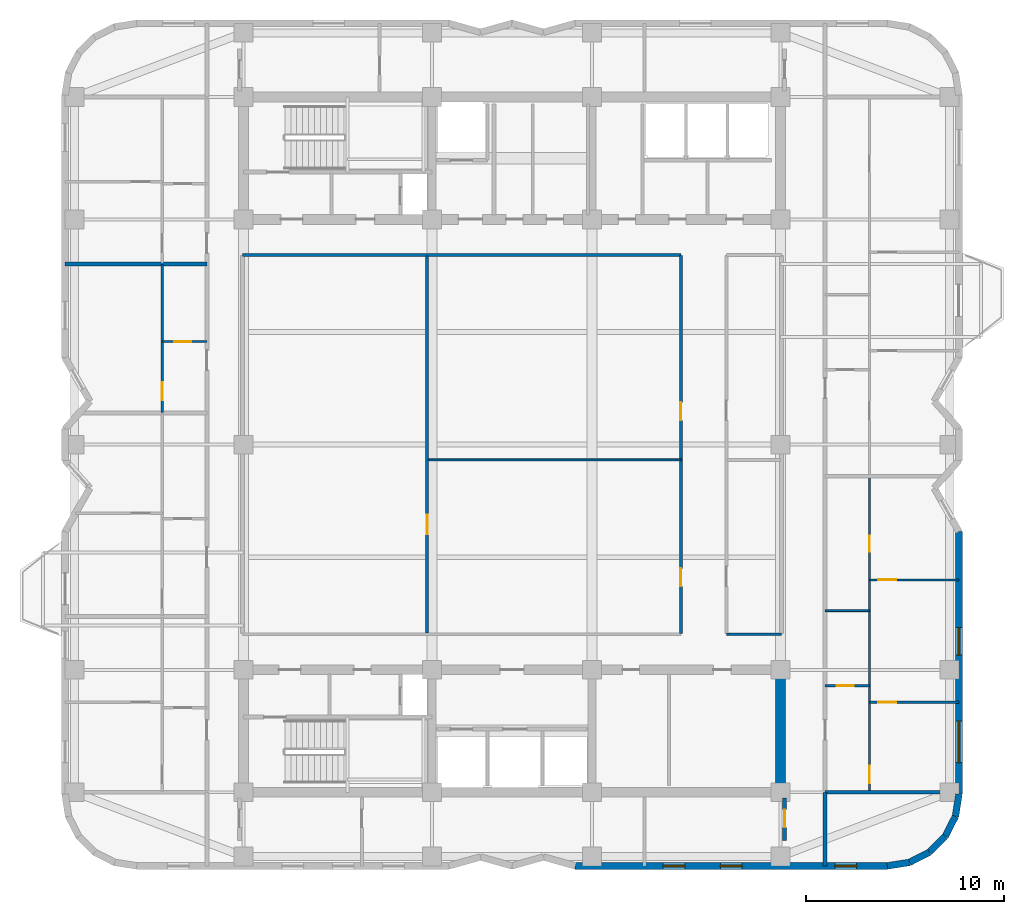
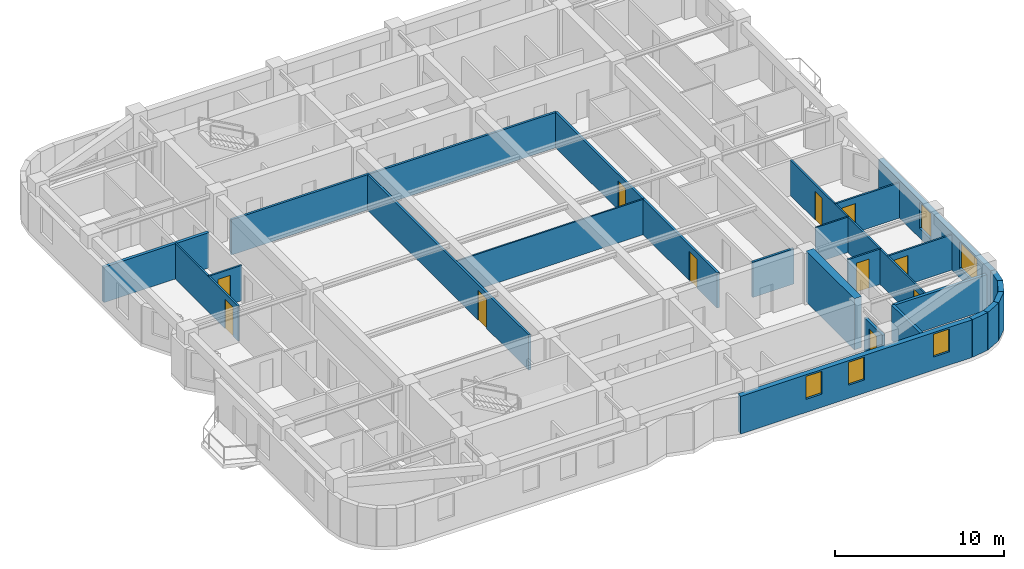
# One storey, part 4 of 9: 24 walls, 11 doors, 5 windows, 16 openings.
"""IFC4 building model written with IfcOpenShell, lengths in metres."""

from ifc_helpers import new_model, si_unit, direction, frame, frame_2d, origin, place, context, subcontext, project, spatial, rectangle, extrude, material, layer, layer_set, type_object, element, fill, save


model = new_model("IFC4")

# Units and contexts
model_context = context("Model", 3, precision=1e-05, world=origin(), true_north=direction((0.0, 1.0)))
body_context = subcontext(model_context, "Body", "Model", "MODEL_VIEW")
ifc_project = project(units=[si_unit("LENGTHUNIT", "METRE"), si_unit("AREAUNIT", "SQUARE_METRE"), si_unit("VOLUMEUNIT", "CUBIC_METRE"), si_unit("PLANEANGLEUNIT", "RADIAN"), si_unit("MASSUNIT", "GRAM", prefix="KILO")], contexts=[model_context])

# Site, building, storey
site_placement = place(None, origin())
site = spatial("IfcSite", under=ifc_project, at=site_placement, CompositionType="ELEMENT")
building_placement = place(site_placement, origin())
building = spatial("IfcBuilding", under=site, at=building_placement, Name="Svetorya Sky Lyceum", CompositionType="ELEMENT")
storey_placement = place(building_placement, frame((0.0, 0.0, 173.699951171875)))
storey = spatial("IfcBuildingStorey", under=building, at=storey_placement, Name="L43", CompositionType="ELEMENT", Elevation=173.699951171875)

# Wall
ifc_material_1 = material(Name="Concrete C50/60", Category="concrete")
ifc_layer_1 = layer(ifc_material_1, 0.5)
ifc_layer_set_1 = layer_set([ifc_layer_1], Name="Concrete C50/60")
wall_type_1 = type_object("IfcWallType", Name="WL-CORE-500", PredefinedType="SHEAR", material=ifc_layer_set_1)
wall_1_placement = place(storey_placement, frame((52.800048828125, 10.85009765625, 0.0), z_axis=(0.0, 0.0, 1.0), x_axis=(0.0, 1.0, 0.0)))
element("IfcWall", 1, at=wall_1_placement, inside=storey, type_object=wall_type_1, Name="L43 SC East Core Shear Wall", PredefinedType="SHEAR", context=body_context, shape_type="SweptSolid", body=[
    extrude(rectangle(XDim=5.699951171875, YDim=0.5, at=frame_2d((2.85009765625, 0.0))), origin(), (0.0, 0.0, 1.0), 3.699951171875),
])

# Wall, openings, windows
ifc_material_2 = material(Name="Putilovo limestone rainscreen on autoclaved cellular masonry", Category="masonry")
ifc_layer_2 = layer(ifc_material_2, 0.340087890625)
ifc_layer_set_2 = layer_set([ifc_layer_2], Name="Putilovo limestone rainscreen on autoclaved cellular masonry")
wall_type_2 = type_object("IfcWallType", Name="WL-EXT-340", PredefinedType="SOLIDWALL", material=ifc_layer_set_2)
wall_2_placement = place(storey_placement, frame((42.39990234375, 6.8701171875, 0.0), z_axis=(0.0, 0.0, 1.0), x_axis=(1.0, 0.0, 0.0)))
wall_2 = element("IfcWall", 2, at=wall_2_placement, inside=storey, type_object=wall_type_2, Name="L43 Limestone Exterior Wall 11M", PredefinedType="SOLIDWALL", context=body_context, shape_type="SweptSolid", body=[
    extrude(rectangle(XDim=15.800048828125, YDim=0.340087890625, at=frame_2d((7.89990234375, 0.0))), origin(), (0.0, 0.0, 1.0), 2.719970703125),
])
opening_1_placement = place(wall_2_placement, frame((4.449951171875, 0.0, 0.949951171875)))
opening_1 = element("IfcOpeningElement", 3, at=opening_1_placement, cuts=wall_2, Name="Opening W-R3", PredefinedType="OPENING", context=body_context, shape_type="SweptSolid", body=[
    extrude(rectangle(XDim=1.10009765625, YDim=1.64990234375, at=frame_2d((0.550048828125, 0.824951171875))), frame((0.0, 0.179931640625, 0.0), z_axis=(0.0, -1.0, 0.0), x_axis=(1.0, 0.0, 0.0)), (0.0, 0.0, 1.0), 0.360107421875),
])
opening_2_placement = place(wall_2_placement, frame((7.35009765625, 0.0, 0.949951171875)))
opening_2 = element("IfcOpeningElement", 4, at=opening_2_placement, cuts=wall_2, Name="Opening W-R3", PredefinedType="OPENING", context=body_context, shape_type="SweptSolid", body=[
    extrude(rectangle(XDim=1.10009765625, YDim=1.64990234375, at=frame_2d((0.550048828125, 0.824951171875))), frame((0.0, 0.179931640625, 0.0), z_axis=(0.0, -1.0, 0.0), x_axis=(1.0, 0.0, 0.0)), (0.0, 0.0, 1.0), 0.360107421875),
])
opening_3_placement = place(wall_2_placement, frame((13.14990234375, 0.0, 0.949951171875)))
opening_3 = element("IfcOpeningElement", 5, at=opening_3_placement, cuts=wall_2, Name="Opening W-R3", PredefinedType="OPENING", context=body_context, shape_type="SweptSolid", body=[
    extrude(rectangle(XDim=1.10009765625, YDim=1.64990234375, at=frame_2d((0.550048828125, 0.824951171875))), frame((0.0, 0.179931640625, 0.0), z_axis=(0.0, -1.0, 0.0), x_axis=(1.0, 0.0, 0.0)), (0.0, 0.0, 1.0), 0.360107421875),
])
ifc_material_3 = material(Name="Thermally broken aluminium frame with triple low-E glazing", Category="aluminium")
window_type_1 = type_object("IfcWindowType", Name="WN-RES-110", PartitioningType="SINGLE_PANEL", PredefinedType="WINDOW", material=ifc_material_3)
window_1_placement = place(opening_1_placement, origin())
window_1 = element("IfcWindow", 6, at=window_1_placement, inside=storey, type_object=window_type_1, Name="L43 Facade Window W-R3.11M.1", OverallHeight=1.64990234375, OverallWidth=1.10009765625, PartitioningType="SINGLE_PANEL", PredefinedType="WINDOW", context=body_context, shape_type="SweptSolid", body=[
    extrude(rectangle(XDim=1.10009765625, YDim=1.64990234375, at=frame_2d((0.550048828125, 0.824951171875))), frame((0.0, 0.030029296875, 0.0), z_axis=(0.0, -1.0, 0.0), x_axis=(1.0, 0.0, 0.0)), (0.0, 0.0, 1.0), 0.06005859375),
])
fill(opening_1, window_1)
window_2_placement = place(opening_2_placement, origin())
window_2 = element("IfcWindow", 7, at=window_2_placement, inside=storey, type_object=window_type_1, Name="L43 Facade Window W-R3.11M.2", OverallHeight=1.64990234375, OverallWidth=1.10009765625, PartitioningType="SINGLE_PANEL", PredefinedType="WINDOW", context=body_context, shape_type="SweptSolid", body=[
    extrude(rectangle(XDim=1.10009765625, YDim=1.64990234375, at=frame_2d((0.550048828125, 0.824951171875))), frame((0.0, 0.030029296875, 0.0), z_axis=(0.0, -1.0, 0.0), x_axis=(1.0, 0.0, 0.0)), (0.0, 0.0, 1.0), 0.06005859375),
])
fill(opening_2, window_2)
window_3_placement = place(opening_3_placement, origin())
window_3 = element("IfcWindow", 8, at=window_3_placement, inside=storey, type_object=window_type_1, Name="L43 Facade Window W-R3.11M.3", OverallHeight=1.64990234375, OverallWidth=1.10009765625, PartitioningType="SINGLE_PANEL", PredefinedType="WINDOW", context=body_context, shape_type="SweptSolid", body=[
    extrude(rectangle(XDim=1.10009765625, YDim=1.64990234375, at=frame_2d((0.550048828125, 0.824951171875))), frame((0.0, 0.030029296875, 0.0), z_axis=(0.0, -1.0, 0.0), x_axis=(1.0, 0.0, 0.0)), (0.0, 0.0, 1.0), 0.06005859375),
])
fill(opening_3, window_3)

# Walls
for number, where, z_axis, x_axis, name in (
    (9, (58.199951171875, 6.8701171875, 0.0), (0.0, 0.0, 1.0), (0.987714116584, 0.156271634985, 0.0), "L43 Limestone Exterior Wall 12M"),
    (10, (59.32177734375, 7.047607421875, 0.0), (0.0, 0.0, 1.0), (0.891005044957, 0.453993402883, 0.0), "L43 Limestone Exterior Wall 13M"),
):
    element("IfcWall", number, at=place(storey_placement, frame(where, z_axis=z_axis, x_axis=x_axis)), inside=storey, type_object=wall_type_2, Name=name, PredefinedType="SOLIDWALL", context=body_context, shape_type="SweptSolid", body=[
        extrude(rectangle(XDim=1.1357421875, YDim=0.340087890625, at=frame_2d((0.56787109375, 0.0))), origin(), (0.0, 0.0, 1.0), 2.719970703125),
    ])
wall_3_placement = place(storey_placement, frame((60.333740234375, 7.563232421875, 0.0), z_axis=(0.0, 0.0, 1.0), x_axis=(0.707106781187, 0.707106781187, 0.0)))
element("IfcWall", 11, at=wall_3_placement, inside=storey, type_object=wall_type_2, Name="L43 Limestone Exterior Wall 14M", PredefinedType="SOLIDWALL", context=body_context, shape_type="SweptSolid", body=[
    extrude(rectangle(XDim=1.135498046875, YDim=0.340087890625, at=frame_2d((0.56787109375, 0.0))), origin(), (0.0, 0.0, 1.0), 2.719970703125),
])
wall_4_placement = place(storey_placement, frame((61.13671875, 8.3662109375, 0.0), z_axis=(0.0, 0.0, 1.0), x_axis=(0.45390646422, 0.891049337433, 0.0)))
element("IfcWall", 12, at=wall_4_placement, inside=storey, type_object=wall_type_2, Name="L43 Limestone Exterior Wall 15M", PredefinedType="SOLIDWALL", context=body_context, shape_type="SweptSolid", body=[
    extrude(rectangle(XDim=1.135986328125, YDim=0.340087890625, at=frame_2d((0.56787109375, 0.0))), origin(), (0.0, 0.0, 1.0), 2.719970703125),
])
wall_5_placement = place(storey_placement, frame((61.65234375, 9.37841796875, 0.0), z_axis=(0.0, 0.0, 1.0), x_axis=(0.156514556949, 0.987675651954, 0.0)))
element("IfcWall", 13, at=wall_5_placement, inside=storey, type_object=wall_type_2, Name="L43 Limestone Exterior Wall 16M", PredefinedType="SOLIDWALL", context=body_context, shape_type="SweptSolid", body=[
    extrude(rectangle(XDim=1.135498046875, YDim=0.340087890625, at=frame_2d((0.56787109375, 0.0))), origin(), (0.0, 0.0, 1.0), 2.719970703125),
])

# Wall, openings, windows
wall_6_placement = place(storey_placement, frame((61.830078125, 10.5, 0.0), z_axis=(0.0, 0.0, 1.0), x_axis=(0.0, 1.0, 0.0)))
wall_6 = element("IfcWall", 14, at=wall_6_placement, inside=storey, type_object=wall_type_2, Name="L43 Limestone Exterior Wall 17M", PredefinedType="SOLIDWALL", context=body_context, shape_type="SweptSolid", body=[
    extrude(rectangle(XDim=13.300048828125, YDim=0.340087890625, at=frame_2d((6.64990234375, 0.0))), origin(), (0.0, 0.0, 1.0), 2.719970703125),
])
opening_4_placement = place(wall_6_placement, frame((1.60009765625, 0.0, 0.699951171875)))
opening_4 = element("IfcOpeningElement", 15, at=opening_4_placement, cuts=wall_6, Name="Opening W-R0", PredefinedType="OPENING", context=body_context, shape_type="SweptSolid", body=[
    extrude(rectangle(XDim=2.10009765625, YDim=1.89990234375, at=frame_2d((1.050048828125, 0.949951171875))), frame((0.0, 0.179931640625, 0.0), z_axis=(0.0, -1.0, 0.0), x_axis=(1.0, 0.0, 0.0)), (0.0, 0.0, 1.0), 0.360107421875),
])
opening_5_placement = place(wall_6_placement, frame((7.0400390625, 0.0, 0.7099609375)))
opening_5 = element("IfcOpeningElement", 16, at=opening_5_placement, cuts=wall_6, Name="Opening W-R2", PredefinedType="OPENING", context=body_context, shape_type="SweptSolid", body=[
    extrude(rectangle(XDim=1.39990234375, YDim=1.85009765625, at=frame_2d((0.699951171875, 0.925048828125))), frame((0.0, 0.179931640625, 0.0), z_axis=(0.0, -1.0, 0.0), x_axis=(1.0, 0.0, 0.0)), (0.0, 0.0, 1.0), 0.360107421875),
])
window_type_2 = type_object("IfcWindowType", Name="WN-RES-140", PartitioningType="SINGLE_PANEL", PredefinedType="WINDOW", material=ifc_material_3)
window_4_placement = place(opening_5_placement, origin())
window_4 = element("IfcWindow", 17, at=window_4_placement, inside=storey, type_object=window_type_2, Name="L43 Facade Window W-R2.17M.2", OverallHeight=1.85009765625, OverallWidth=1.39990234375, PartitioningType="SINGLE_PANEL", PredefinedType="WINDOW", context=body_context, shape_type="SweptSolid", body=[
    extrude(rectangle(XDim=1.39990234375, YDim=1.85009765625, at=frame_2d((0.699951171875, 0.925048828125))), frame((0.0, 0.030029296875, 0.0), z_axis=(0.0, -1.0, 0.0), x_axis=(1.0, 0.0, 0.0)), (0.0, 0.0, 1.0), 0.06005859375),
])
fill(opening_5, window_4)
window_type_3 = type_object("IfcWindowType", Name="WN-RES-210", PartitioningType="TRIPLE_PANEL_VERTICAL", PredefinedType="WINDOW", material=ifc_material_3)
window_5_placement = place(opening_4_placement, origin())
window_5 = element("IfcWindow", 18, at=window_5_placement, inside=storey, type_object=window_type_3, Name="L43 Facade Window W-R0.17M.1", OverallHeight=1.89990234375, OverallWidth=2.10009765625, PartitioningType="SINGLE_PANEL", PredefinedType="WINDOW", context=body_context, shape_type="SweptSolid", body=[
    extrude(rectangle(XDim=2.10009765625, YDim=1.89990234375, at=frame_2d((1.050048828125, 0.949951171875))), frame((0.0, 0.030029296875, 0.0), z_axis=(0.0, -1.0, 0.0), x_axis=(1.0, 0.0, 0.0)), (0.0, 0.0, 1.0), 0.06005859375),
])
fill(opening_4, window_5)

# Walls
ifc_material_4 = material(Name="Galvanized stud partition with moisture-resistant board", Category="gypsum")
ifc_layer_3 = layer(ifc_material_4, 0.10009765625)
ifc_layer_set_3 = layer_set([ifc_layer_3], Name="Galvanized stud partition with moisture-resistant board")
wall_type_3 = type_object("IfcWallType", Name="WL-PART-100", PredefinedType="PARTITIONING", material=ifc_layer_set_3)
wall_7_placement = place(storey_placement, frame((34.949951171875, 27.434326171875, 0.0), z_axis=(0.0, 0.0, 1.0), x_axis=(1.0, 0.0, 0.0)))
element("IfcWall", 19, at=wall_7_placement, inside=storey, type_object=wall_type_3, Name="L43 Interior Partition OFF-WHM", PredefinedType="PARTITIONING", context=body_context, shape_type="SweptSolid", body=[
    extrude(rectangle(XDim=12.81005859375, YDim=0.10009765625, at=frame_2d((6.405029296875, 0.0))), origin(), (0.0, 0.0, 1.0), 2.550048828125),
])
wall_8_placement = place(storey_placement, frame((55.050048828125, 19.800048828125, 0.0), z_axis=(0.0, 0.0, 1.0), x_axis=(1.0, 0.0, 0.0)))
element("IfcWall", 20, at=wall_8_placement, inside=storey, type_object=wall_type_3, Name="L43 Interior Partition E1-WH2", PredefinedType="PARTITIONING", context=body_context, shape_type="SweptSolid", body=[
    extrude(rectangle(XDim=2.25, YDim=0.10009765625, at=frame_2d((1.125, 0.0))), origin(), (0.0, 0.0, 1.0), 2.550048828125),
])

# Wall, opening, door
ifc_material_5 = material(Name="Twin-stud galvanized framing with double fireboard", Category="gypsum")
ifc_layer_4 = layer(ifc_material_5, 0.1201171875)
ifc_layer_set_4 = layer_set([ifc_layer_4], Name="Twin-stud galvanized framing with double fireboard")
wall_type_4 = type_object("IfcWallType", Name="WL-PART-120", PredefinedType="PARTITIONING", material=ifc_layer_set_4)
wall_9_placement = place(storey_placement, frame((21.5, 33.419921875, 0.0), z_axis=(0.0, 0.0, 1.0), x_axis=(1.0, 0.0, 0.0)))
wall_9 = element("IfcWall", 21, at=wall_9_placement, inside=storey, type_object=wall_type_4, Name="L43 Interior Partition W3-WH1", PredefinedType="PARTITIONING", context=body_context, shape_type="SweptSolid", body=[
    extrude(rectangle(XDim=2.25, YDim=0.1201171875, at=frame_2d((1.125, 0.0))), origin(), (0.0, 0.0, 1.0), 2.550048828125),
])
opening_6_placement = place(wall_9_placement, frame((0.60009765625, 0.0, 0.0)))
opening_6 = element("IfcOpeningElement", 22, at=opening_6_placement, cuts=wall_9, Name="Opening D-BT1", PredefinedType="OPENING", context=body_context, shape_type="SweptSolid", body=[
    extrude(rectangle(XDim=0.85009765625, YDim=2.10009765625, at=frame_2d((0.425048828125, 1.050048828125))), frame((0.0, 0.070068359375, 0.0), z_axis=(0.0, -1.0, 0.0), x_axis=(1.0, 0.0, 0.0)), (0.0, 0.0, 1.0), 0.14013671875),
])
ifc_material_6 = material(Name="Moisture-resistant laminate bathroom door")
door_type_1 = type_object("IfcDoorType", Name="DR-WET-850", OperationType="SINGLE_SWING_LEFT", PredefinedType="DOOR", material=ifc_material_6)
door_1_placement = place(opening_6_placement, origin())
door_1 = element("IfcDoor", 23, at=door_1_placement, inside=storey, type_object=door_type_1, Name="Apartment W3 Bathroom Door", OperationType="SINGLE_SWING_LEFT", OverallHeight=2.10009765625, OverallWidth=0.85009765625, PredefinedType="DOOR", context=body_context, shape_type="SweptSolid", body=[
    extrude(rectangle(XDim=0.85009765625, YDim=2.10009765625, at=frame_2d((0.425048828125, 1.050048828125))), frame((0.0, 0.02490234375, 0.0), z_axis=(0.0, -1.0, 0.0), x_axis=(1.0, 0.0, 0.0)), (0.0, 0.0, 1.0), 0.050048828125),
])
fill(opening_6, door_1)

wall_10_placement = place(storey_placement, frame((21.5, 29.840087890625, 0.0), z_axis=(0.0, 0.0, 1.0), x_axis=(0.0, 1.0, 0.0)))
wall_10 = element("IfcWall", 24, at=wall_10_placement, inside=storey, type_object=wall_type_4, Name="L43 Interior Partition W3-WV", PredefinedType="PARTITIONING", context=body_context, shape_type="SweptSolid", body=[
    extrude(rectangle(XDim=7.471923828125, YDim=0.1201171875, at=frame_2d((3.73583984375, 0.0))), origin(), (0.0, 0.0, 1.0), 2.550048828125),
])
opening_7_placement = place(wall_10_placement, frame((0.610107421875, 0.0, 0.0)))
opening_7 = element("IfcOpeningElement", 25, at=opening_7_placement, cuts=wall_10, Name="Opening D-RM1", PredefinedType="OPENING", context=body_context, shape_type="SweptSolid", body=[
    extrude(rectangle(XDim=0.89990234375, YDim=2.10009765625, at=frame_2d((0.449951171875, 1.050048828125))), frame((0.0, 0.070068359375, 0.0), z_axis=(0.0, -1.0, 0.0), x_axis=(1.0, 0.0, 0.0)), (0.0, 0.0, 1.0), 0.14013671875),
])
ifc_material_7 = material(Name="Lacquered birch veneer internal door")
door_type_2 = type_object("IfcDoorType", Name="DR-INT-900", OperationType="SINGLE_SWING_LEFT", PredefinedType="DOOR", material=ifc_material_7)
door_2_placement = place(opening_7_placement, origin())
door_2 = element("IfcDoor", 26, at=door_2_placement, inside=storey, type_object=door_type_2, Name="Apartment W3 Living Door", OperationType="SINGLE_SWING_RIGHT", OverallHeight=2.10009765625, OverallWidth=0.89990234375, PredefinedType="DOOR", context=body_context, shape_type="SweptSolid", body=[
    extrude(rectangle(XDim=0.89990234375, YDim=2.10009765625, at=frame_2d((0.449951171875, 1.050048828125))), frame((0.0, 0.02490234375, 0.0), z_axis=(0.0, -1.0, 0.0), x_axis=(1.0, 0.0, 0.0)), (0.0, 0.0, 1.0), 0.050048828125),
])
fill(opening_7, door_2)

wall_11_placement = place(storey_placement, frame((55.050048828125, 16.0, 0.0), z_axis=(0.0, 0.0, 1.0), x_axis=(1.0, 0.0, 0.0)))
wall_11 = element("IfcWall", 27, at=wall_11_placement, inside=storey, type_object=wall_type_4, Name="L43 Interior Partition E1-WH1", PredefinedType="PARTITIONING", context=body_context, shape_type="SweptSolid", body=[
    extrude(rectangle(XDim=2.25, YDim=0.1201171875, at=frame_2d((1.125, 0.0))), origin(), (0.0, 0.0, 1.0), 2.550048828125),
])
opening_8_placement = place(wall_11_placement, frame((0.60009765625, 0.0, 0.0)))
opening_8 = element("IfcOpeningElement", 28, at=opening_8_placement, cuts=wall_11, Name="Opening D-BT1", PredefinedType="OPENING", context=body_context, shape_type="SweptSolid", body=[
    extrude(rectangle(XDim=0.85009765625, YDim=2.10009765625, at=frame_2d((0.425048828125, 1.050048828125))), frame((0.0, 0.070068359375, 0.0), z_axis=(0.0, -1.0, 0.0), x_axis=(1.0, 0.0, 0.0)), (0.0, 0.0, 1.0), 0.14013671875),
])
door_3_placement = place(opening_8_placement, origin())
door_3 = element("IfcDoor", 29, at=door_3_placement, inside=storey, type_object=door_type_1, Name="Apartment E1 Bathroom Door", OperationType="SINGLE_SWING_RIGHT", OverallHeight=2.10009765625, OverallWidth=0.85009765625, PredefinedType="DOOR", context=body_context, shape_type="SweptSolid", body=[
    extrude(rectangle(XDim=0.85009765625, YDim=2.10009765625, at=frame_2d((0.425048828125, 1.050048828125))), frame((0.0, 0.02490234375, 0.0), z_axis=(0.0, -1.0, 0.0), x_axis=(1.0, 0.0, 0.0)), (0.0, 0.0, 1.0), 0.050048828125),
])
fill(opening_8, door_3)

wall_12_placement = place(storey_placement, frame((57.300048828125, 15.14990234375, 0.0), z_axis=(0.0, 0.0, 1.0), x_axis=(1.0, 0.0, 0.0)))
wall_12 = element("IfcWall", 30, at=wall_12_placement, inside=storey, type_object=wall_type_4, Name="L43 Interior Partition E1-WL1", PredefinedType="PARTITIONING", context=body_context, shape_type="SweptSolid", body=[
    extrude(rectangle(XDim=4.530029296875, YDim=0.1201171875, at=frame_2d((2.26513671875, 0.0))), origin(), (0.0, 0.0, 1.0), 2.550048828125),
])
opening_9_placement = place(wall_12_placement, frame((0.449951171875, 0.0, 0.0)))
opening_9 = element("IfcOpeningElement", 31, at=opening_9_placement, cuts=wall_12, Name="Opening D-RM1", PredefinedType="OPENING", context=body_context, shape_type="SweptSolid", body=[
    extrude(rectangle(XDim=0.89990234375, YDim=2.10009765625, at=frame_2d((0.449951171875, 1.050048828125))), frame((0.0, 0.070068359375, 0.0), z_axis=(0.0, -1.0, 0.0), x_axis=(1.0, 0.0, 0.0)), (0.0, 0.0, 1.0), 0.14013671875),
])
door_4_placement = place(opening_9_placement, origin())
door_4 = element("IfcDoor", 32, at=door_4_placement, inside=storey, type_object=door_type_2, Name="Apartment E1 Master Bedroom Door", OperationType="SINGLE_SWING_RIGHT", OverallHeight=2.10009765625, OverallWidth=0.89990234375, PredefinedType="DOOR", context=body_context, shape_type="SweptSolid", body=[
    extrude(rectangle(XDim=0.89990234375, YDim=2.10009765625, at=frame_2d((0.449951171875, 1.050048828125))), frame((0.0, 0.02490234375, 0.0), z_axis=(0.0, -1.0, 0.0), x_axis=(1.0, 0.0, 0.0)), (0.0, 0.0, 1.0), 0.050048828125),
])
fill(opening_9, door_4)

wall_13_placement = place(storey_placement, frame((57.300048828125, 21.35009765625, 0.0), z_axis=(0.0, 0.0, 1.0), x_axis=(1.0, 0.0, 0.0)))
wall_13 = element("IfcWall", 33, at=wall_13_placement, inside=storey, type_object=wall_type_4, Name="L43 Interior Partition E1-WL2", PredefinedType="PARTITIONING", context=body_context, shape_type="SweptSolid", body=[
    extrude(rectangle(XDim=4.530029296875, YDim=0.1201171875, at=frame_2d((2.26513671875, 0.0))), origin(), (0.0, 0.0, 1.0), 2.550048828125),
])
opening_10_placement = place(wall_13_placement, frame((0.449951171875, 0.0, 0.0)))
opening_10 = element("IfcOpeningElement", 34, at=opening_10_placement, cuts=wall_13, Name="Opening D-RM1", PredefinedType="OPENING", context=body_context, shape_type="SweptSolid", body=[
    extrude(rectangle(XDim=0.89990234375, YDim=2.10009765625, at=frame_2d((0.449951171875, 1.050048828125))), frame((0.0, 0.070068359375, 0.0), z_axis=(0.0, -1.0, 0.0), x_axis=(1.0, 0.0, 0.0)), (0.0, 0.0, 1.0), 0.14013671875),
])
door_5_placement = place(opening_10_placement, origin())
door_5 = element("IfcDoor", 35, at=door_5_placement, inside=storey, type_object=door_type_2, Name="Apartment E1 Bedroom 2 Door", OperationType="SINGLE_SWING_LEFT", OverallHeight=2.10009765625, OverallWidth=0.89990234375, PredefinedType="DOOR", context=body_context, shape_type="SweptSolid", body=[
    extrude(rectangle(XDim=0.89990234375, YDim=2.10009765625, at=frame_2d((0.449951171875, 1.050048828125))), frame((0.0, 0.02490234375, 0.0), z_axis=(0.0, -1.0, 0.0), x_axis=(1.0, 0.0, 0.0)), (0.0, 0.0, 1.0), 0.050048828125),
])
fill(opening_10, door_5)

# Wall, openings, doors
wall_14_placement = place(storey_placement, frame((57.300048828125, 10.639892578125, 0.0), z_axis=(0.0, 0.0, 1.0), x_axis=(0.0, 1.0, 0.0)))
wall_14 = element("IfcWall", 36, at=wall_14_placement, inside=storey, type_object=wall_type_4, Name="L43 Interior Partition E1-WV", PredefinedType="PARTITIONING", context=body_context, shape_type="SweptSolid", body=[
    extrude(rectangle(XDim=15.920166015625, YDim=0.1201171875, at=frame_2d((7.9599609375, 0.0))), origin(), (0.0, 0.0, 1.0), 2.550048828125),
])
opening_11_placement = place(wall_14_placement, frame((0.409912109375, 0.0, 0.0)))
opening_11 = element("IfcOpeningElement", 37, at=opening_11_placement, cuts=wall_14, Name="Opening D-RM1", PredefinedType="OPENING", context=body_context, shape_type="SweptSolid", body=[
    extrude(rectangle(XDim=0.89990234375, YDim=2.10009765625, at=frame_2d((0.449951171875, 1.050048828125))), frame((0.0, 0.070068359375, 0.0), z_axis=(0.0, -1.0, 0.0), x_axis=(1.0, 0.0, 0.0)), (0.0, 0.0, 1.0), 0.14013671875),
])
opening_12_placement = place(wall_14_placement, frame((12.135009765625, 0.0, 0.0)))
opening_12 = element("IfcOpeningElement", 38, at=opening_12_placement, cuts=wall_14, Name="Opening D-BT2", PredefinedType="OPENING", context=body_context, shape_type="SweptSolid", body=[
    extrude(rectangle(XDim=0.820068359375, YDim=2.080078125, at=frame_2d((0.41015625, 1.0400390625))), frame((0.0, 0.070068359375, 0.0), z_axis=(0.0, -1.0, 0.0), x_axis=(1.0, 0.0, 0.0)), (0.0, 0.0, 1.0), 0.14013671875),
])
door_6_placement = place(opening_11_placement, origin())
door_6 = element("IfcDoor", 39, at=door_6_placement, inside=storey, type_object=door_type_2, Name="Apartment E1 Living Door", OperationType="SINGLE_SWING_LEFT", OverallHeight=2.10009765625, OverallWidth=0.89990234375, PredefinedType="DOOR", context=body_context, shape_type="SweptSolid", body=[
    extrude(rectangle(XDim=0.89990234375, YDim=2.10009765625, at=frame_2d((0.449951171875, 1.050048828125))), frame((0.0, 0.02490234375, 0.0), z_axis=(0.0, -1.0, 0.0), x_axis=(1.0, 0.0, 0.0)), (0.0, 0.0, 1.0), 0.050048828125),
])
fill(opening_11, door_6)
ifc_material_8 = material(Name="Compact moisture-resistant laminate closet door")
door_type_3 = type_object("IfcDoorType", Name="DR-WET-820", OperationType="SINGLE_SWING_LEFT", PredefinedType="DOOR", material=ifc_material_8)
door_7_placement = place(opening_12_placement, origin())
door_7 = element("IfcDoor", 40, at=door_7_placement, inside=storey, type_object=door_type_3, Name="Apartment E1 Study Door", OperationType="SINGLE_SWING_RIGHT", OverallHeight=2.080078125, OverallWidth=0.820068359375, PredefinedType="DOOR", context=body_context, shape_type="SweptSolid", body=[
    extrude(rectangle(XDim=0.820068359375, YDim=2.080078125, at=frame_2d((0.41015625, 1.0400390625))), frame((0.0, 0.02490234375, 0.0), z_axis=(0.0, -1.0, 0.0), x_axis=(1.0, 0.0, 0.0)), (0.0, 0.0, 1.0), 0.050048828125),
])
fill(opening_12, door_7)

# Walls
ifc_material_9 = material(Name="Autoclaved cellular masonry blockwork with acoustic render", Category="masonry")
ifc_layer_5 = layer(ifc_material_9, 0.14990234375)
ifc_layer_set_5 = layer_set([ifc_layer_5], Name="Autoclaved cellular masonry blockwork with acoustic render")
wall_type_5 = type_object("IfcWallType", Name="WL-PART-150", PredefinedType="PARTITIONING", material=ifc_layer_set_5)
wall_15_placement = place(storey_placement, frame((50.050048828125, 18.60009765625, 0.0), z_axis=(0.0, 0.0, 1.0), x_axis=(1.0, 0.0, 0.0)))
element("IfcWall", 41, at=wall_15_placement, inside=storey, type_object=wall_type_5, Name="L43 Interior Partition OFF-CS-E", PredefinedType="PARTITIONING", context=body_context, shape_type="SweptSolid", body=[
    extrude(rectangle(XDim=2.800048828125, YDim=0.14990234375, at=frame_2d((1.39990234375, 0.0))), origin(), (0.0, 0.0, 1.0), 2.550048828125),
])
wall_16_placement = place(storey_placement, frame((25.550048828125, 37.800048828125, 0.0), z_axis=(0.0, 0.0, 1.0), x_axis=(1.0, 0.0, 0.0)))
element("IfcWall", 42, at=wall_16_placement, inside=storey, type_object=wall_type_5, Name="L43 Interior Partition OFF-CN-W", PredefinedType="PARTITIONING", context=body_context, shape_type="SweptSolid", body=[
    extrude(rectangle(XDim=22.199951171875, YDim=0.14990234375, at=frame_2d((11.10009765625, 0.0))), origin(), (0.0, 0.0, 1.0), 2.550048828125),
])

# Wall, opening, door
wall_17_placement = place(storey_placement, frame((34.89990234375, 18.659912109375, 0.0), z_axis=(0.0, 0.0, 1.0), x_axis=(0.0, 1.0, 0.0)))
wall_17 = element("IfcWall", 43, at=wall_17_placement, inside=storey, type_object=wall_type_5, Name="L43 Interior Partition OFF-WVM", PredefinedType="PARTITIONING", context=body_context, shape_type="SweptSolid", body=[
    extrude(rectangle(XDim=19.080078125, YDim=0.14990234375, at=frame_2d((9.5400390625, 0.0))), origin(), (0.0, 0.0, 1.0), 2.550048828125),
])
opening_13_placement = place(wall_17_placement, frame((5.0, 0.0, 0.0)))
opening_13 = element("IfcOpeningElement", 44, at=opening_13_placement, cuts=wall_17, Name="Opening D-RM2", PredefinedType="OPENING", context=body_context, shape_type="SweptSolid", body=[
    extrude(rectangle(XDim=1.0, YDim=2.14990234375, at=frame_2d((0.5, 1.074951171875))), frame((0.0, 0.0849609375, 0.0), z_axis=(0.0, -1.0, 0.0), x_axis=(1.0, 0.0, 0.0)), (0.0, 0.0, 1.0), 0.169921875),
])
ifc_material_10 = material(Name="Solid-core oak acoustic room door")
door_type_4 = type_object("IfcDoorType", Name="DR-INT-1000", OperationType="SINGLE_SWING_LEFT", PredefinedType="DOOR", material=ifc_material_10)
door_8_placement = place(opening_13_placement, origin())
door_8 = element("IfcDoor", 45, at=door_8_placement, inside=storey, type_object=door_type_4, Name="L43 West Seminar Door", OperationType="SINGLE_SWING_LEFT", OverallHeight=2.14990234375, OverallWidth=1.0, PredefinedType="DOOR", context=body_context, shape_type="SweptSolid", body=[
    extrude(rectangle(XDim=1.0, YDim=2.14990234375, at=frame_2d((0.5, 1.074951171875))), frame((0.0, 0.02490234375, 0.0), z_axis=(0.0, -1.0, 0.0), x_axis=(1.0, 0.0, 0.0)), (0.0, 0.0, 1.0), 0.050048828125),
])
fill(opening_13, door_8)

# Wall, openings, doors
wall_18_placement = place(storey_placement, frame((47.75, 18.6298828125, 0.0), z_axis=(0.0, 0.0, 1.0), x_axis=(0.0, 1.0, 0.0)))
wall_18 = element("IfcWall", 46, at=wall_18_placement, inside=storey, type_object=wall_type_5, Name="L43 Interior Partition OFF-VW", PredefinedType="PARTITIONING", context=body_context, shape_type="SweptSolid", body=[
    extrude(rectangle(XDim=19.14013671875, YDim=0.14990234375, at=frame_2d((9.570068359375, 0.0))), origin(), (0.0, 0.0, 1.0), 2.550048828125),
])
opening_14_placement = place(wall_18_placement, frame((2.39990234375, 0.0, 0.0)))
opening_14 = element("IfcOpeningElement", 47, at=opening_14_placement, cuts=wall_18, Name="Opening D-RM1", PredefinedType="OPENING", context=body_context, shape_type="SweptSolid", body=[
    extrude(rectangle(XDim=0.89990234375, YDim=2.10009765625, at=frame_2d((0.449951171875, 1.050048828125))), frame((0.0, 0.0849609375, 0.0), z_axis=(0.0, -1.0, 0.0), x_axis=(1.0, 0.0, 0.0)), (0.0, 0.0, 1.0), 0.169921875),
])
opening_15_placement = place(wall_18_placement, frame((10.804443359375, 0.0, 0.0)))
opening_15 = element("IfcOpeningElement", 48, at=opening_15_placement, cuts=wall_18, Name="Opening D-RM1", PredefinedType="OPENING", context=body_context, shape_type="SweptSolid", body=[
    extrude(rectangle(XDim=0.89990234375, YDim=2.10009765625, at=frame_2d((0.449951171875, 1.050048828125))), frame((0.0, 0.0849609375, 0.0), z_axis=(0.0, -1.0, 0.0), x_axis=(1.0, 0.0, 0.0)), (0.0, 0.0, 1.0), 0.169921875),
])
door_9_placement = place(opening_14_placement, origin())
door_9 = element("IfcDoor", 49, at=door_9_placement, inside=storey, type_object=door_type_2, Name="L43 Study Door", OperationType="SINGLE_SWING_LEFT", OverallHeight=2.10009765625, OverallWidth=0.89990234375, PredefinedType="DOOR", context=body_context, shape_type="SweptSolid", body=[
    extrude(rectangle(XDim=0.89990234375, YDim=2.10009765625, at=frame_2d((0.449951171875, 1.050048828125))), frame((0.0, 0.02490234375, 0.0), z_axis=(0.0, -1.0, 0.0), x_axis=(1.0, 0.0, 0.0)), (0.0, 0.0, 1.0), 0.050048828125),
])
fill(opening_14, door_9)
door_10_placement = place(opening_15_placement, origin())
door_10 = element("IfcDoor", 50, at=door_10_placement, inside=storey, type_object=door_type_2, Name="L43 Office Door", OperationType="SINGLE_SWING_RIGHT", OverallHeight=2.10009765625, OverallWidth=0.89990234375, PredefinedType="DOOR", context=body_context, shape_type="SweptSolid", body=[
    extrude(rectangle(XDim=0.89990234375, YDim=2.10009765625, at=frame_2d((0.449951171875, 1.050048828125))), frame((0.0, 0.02490234375, 0.0), z_axis=(0.0, -1.0, 0.0), x_axis=(1.0, 0.0, 0.0)), (0.0, 0.0, 1.0), 0.050048828125),
])
fill(opening_15, door_10)

# Walls
ifc_material_11 = material(Name="Autoclaved cellular masonry blockwork with gypsum plaster", Category="masonry")
ifc_layer_6 = layer(ifc_material_11, 0.199951171875)
ifc_layer_set_6 = layer_set([ifc_layer_6], Name="Autoclaved cellular masonry blockwork with gypsum plaster")
wall_type_6 = type_object("IfcWallType", Name="WL-PART-200", PredefinedType="PARTITIONING", material=ifc_layer_set_6)
wall_19_placement = place(storey_placement, frame((16.570068359375, 37.35205078125, 0.0), z_axis=(0.0, 0.0, 1.0), x_axis=(1.0, 0.0, 0.0)))
element("IfcWall", 51, at=wall_19_placement, inside=storey, type_object=wall_type_6, Name="L43 Interior Partition W-PARTY-3", PredefinedType="PARTITIONING", context=body_context, shape_type="SweptSolid", body=[
    extrude(rectangle(XDim=7.179931640625, YDim=0.199951171875, at=frame_2d((3.58984375, 0.0))), origin(), (0.0, 0.0, 1.0), 2.550048828125),
])
wall_20_placement = place(storey_placement, frame((55.050048828125, 10.60009765625, 0.0), z_axis=(0.0, 0.0, 1.0), x_axis=(1.0, 0.0, 0.0)))
element("IfcWall", 52, at=wall_20_placement, inside=storey, type_object=wall_type_6, Name="L43 Interior Partition E-CAP-S", PredefinedType="PARTITIONING", context=body_context, shape_type="SweptSolid", body=[
    extrude(rectangle(XDim=6.35986328125, YDim=0.199951171875, at=frame_2d((3.179931640625, 0.0))), origin(), (0.0, 0.0, 1.0), 2.550048828125),
])
wall_21_placement = place(storey_placement, frame((55.050048828125, 6.8701171875, 0.0), z_axis=(0.0, 0.0, 1.0), x_axis=(0.0, 1.0, 0.0)))
element("IfcWall", 53, at=wall_21_placement, inside=storey, type_object=wall_type_6, Name="L43 Interior Partition EC-SE-END", PredefinedType="PARTITIONING", context=body_context, shape_type="SweptSolid", body=[
    extrude(rectangle(XDim=3.72998046875, YDim=0.199951171875, at=frame_2d((1.864990234375, 0.0))), origin(), (0.0, 0.0, 1.0), 2.550048828125),
])

# Wall, opening, door
wall_22_placement = place(storey_placement, frame((53.0, 8.169921875, 0.0), z_axis=(0.0, 0.0, 1.0), x_axis=(0.0, 1.0, 0.0)))
wall_22 = element("IfcWall", 54, at=wall_22_placement, inside=storey, type_object=wall_type_6, Name="L43 Interior Partition S-EE", PredefinedType="PARTITIONING", context=body_context, shape_type="SweptSolid", body=[
    extrude(rectangle(XDim=2.130126953125, YDim=0.199951171875, at=frame_2d((1.06494140625, 0.0))), origin(), (0.0, 0.0, 1.0), 2.550048828125),
])
opening_16_placement = place(wall_22_placement, frame((0.64990234375, 0.0, 0.0)))
opening_16 = element("IfcOpeningElement", 55, at=opening_16_placement, cuts=wall_22, Name="Opening D-RM1", PredefinedType="OPENING", context=body_context, shape_type="SweptSolid", body=[
    extrude(rectangle(XDim=0.89990234375, YDim=2.10009765625, at=frame_2d((0.449951171875, 1.050048828125))), frame((0.0, 0.10986328125, 0.0), z_axis=(0.0, -1.0, 0.0), x_axis=(1.0, 0.0, 0.0)), (0.0, 0.0, 1.0), 0.219970703125),
])
door_11_placement = place(opening_16_placement, origin())
door_11 = element("IfcDoor", 56, at=door_11_placement, inside=storey, type_object=door_type_2, Name="L43 South Focus Door", OperationType="SINGLE_SWING_RIGHT", OverallHeight=2.10009765625, OverallWidth=0.89990234375, PredefinedType="DOOR", context=body_context, shape_type="SweptSolid", body=[
    extrude(rectangle(XDim=0.89990234375, YDim=2.10009765625, at=frame_2d((0.449951171875, 1.050048828125))), frame((0.0, 0.02490234375, 0.0), z_axis=(0.0, -1.0, 0.0), x_axis=(1.0, 0.0, 0.0)), (0.0, 0.0, 1.0), 0.050048828125),
])
fill(opening_16, door_11)

save(model, "model.ifc")
